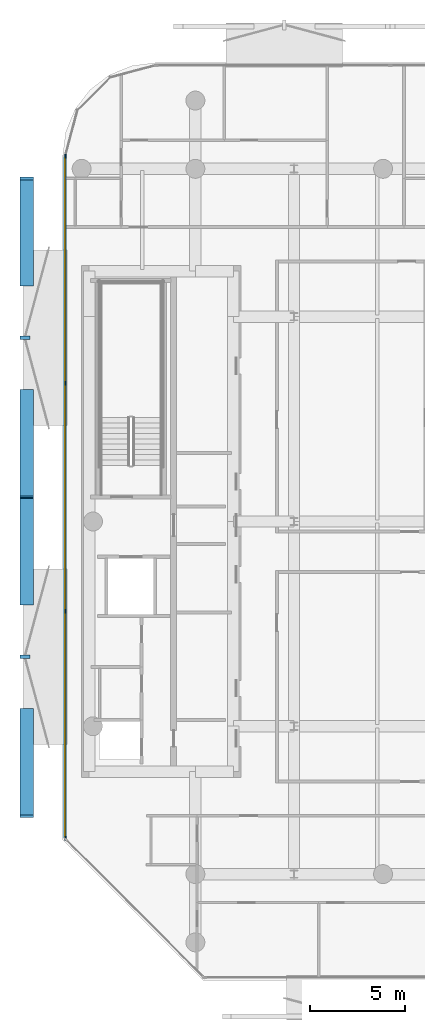
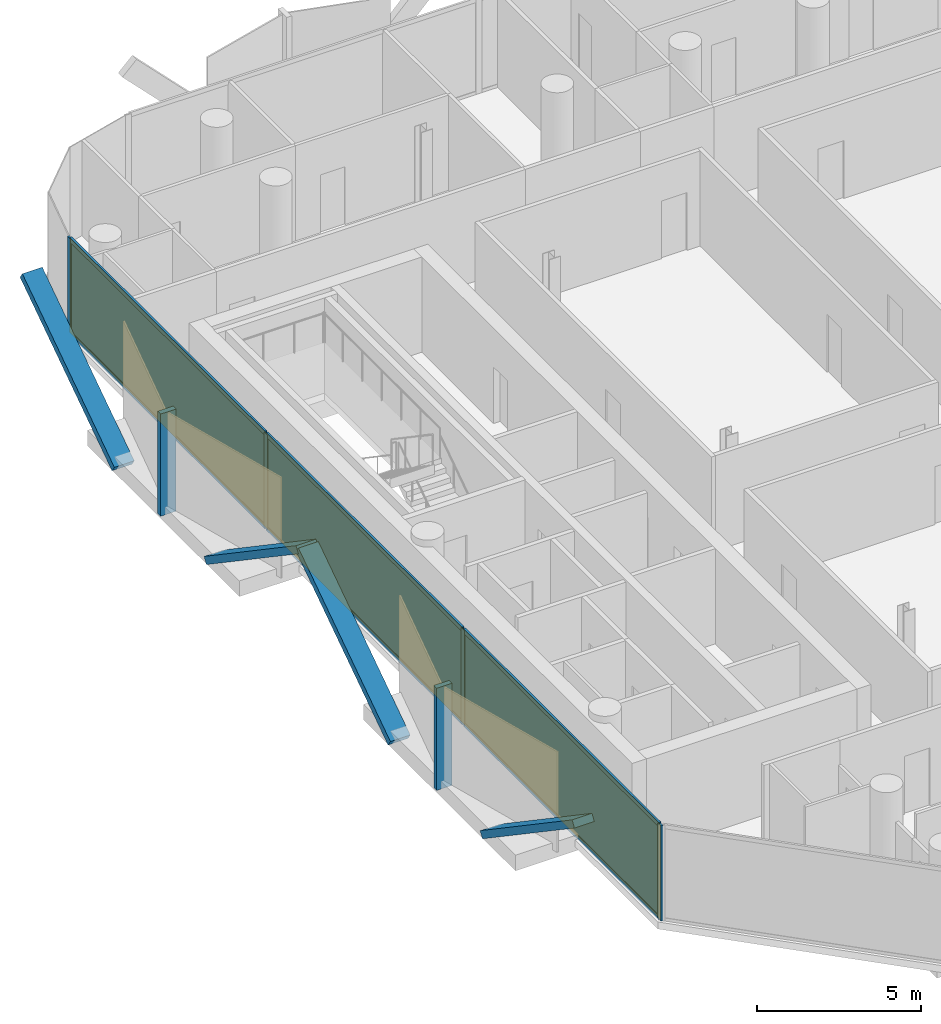
# One storey, part 10 of 16: 16 members, 3 plates, 1 curtain wall.
"""IFC4 building model written with IfcOpenShell, lengths in metres."""

from ifc_helpers import new_model, si_unit, direction, frame, frame_2d, origin, origin_2d, place, context, subcontext, project, spatial, rectangle, extrude, material, layer, layer_set, material_profile, profile_set, type_object, element, aggregate, save


model = new_model("IFC4")

# Units and contexts
model_context = context("Model", 3, precision=1e-05, world=origin(), true_north=direction((0.0, 1.0)))
body_context = subcontext(model_context, "Body", "Model", "MODEL_VIEW")
ifc_project = project(units=[si_unit("LENGTHUNIT", "METRE"), si_unit("AREAUNIT", "SQUARE_METRE"), si_unit("VOLUMEUNIT", "CUBIC_METRE"), si_unit("PLANEANGLEUNIT", "RADIAN"), si_unit("MASSUNIT", "GRAM", prefix="KILO")], contexts=[model_context])

# Member
ifc_material_1 = material(Name="Anodised Bronze Aluminium 6063-T6", Category="aluminium")
ifc_material_profile_1 = material_profile(ifc_material_1, rectangle(XDim=0.260009765625, YDim=0.699951171875, at=origin_2d()))
ifc_profile_set_1 = profile_set([ifc_material_profile_1], Name="Anodised Bronze Aluminium 6063-T6")
member_type_1 = type_object("IfcMemberType", Name="Bronze Diamond Solar-Screen Lattice Rib BDL-700", PredefinedType="MULLION", material=ifc_profile_set_1)
site_placement = place(None, origin())
building_placement = place(site_placement, origin())
storey_placement = place(building_placement, frame((0.0, 0.0, 296.60009765625)))
member_1_placement = place(storey_placement, frame((-23.300048828125, -4.3310546875, -0.130126953125), z_axis=(0.0, 0.827726945336, 0.561131093386), x_axis=(0.0, -0.561131093386, 0.827726945336)))
member_1 = element("IfcMember", 1, at=member_1_placement, type_object=member_type_1, Name="L71 Bronze Diamond Solar Screen Lattice Rib 496A", PredefinedType="MULLION", context=body_context, shape_type="SweptSolid", body=[
    extrude(rectangle(XDim=0.260009765625, YDim=0.699951171875, at=origin_2d()), origin(), (0.0, 0.0, 1.0), 6.772216796875),
])

member_2_placement = place(storey_placement, frame((-23.300048828125, -9.9365234375, -0.130126953125), z_axis=(0.0, -0.827726945336, 0.561131093386), x_axis=(0.0, 0.561131093386, 0.827726945336)))
member_2 = element("IfcMember", 2, at=member_2_placement, type_object=member_type_1, Name="L71 Bronze Diamond Solar Screen Lattice Rib 496B", PredefinedType="MULLION", context=body_context, shape_type="SweptSolid", body=[
    extrude(rectangle(XDim=0.260009765625, YDim=0.699951171875, at=origin_2d()), origin(), (0.0, 0.0, 1.0), 6.772216796875),
])

member_3_placement = place(storey_placement, frame((-23.300048828125, 12.4853515625, -0.130126953125), z_axis=(0.0, 0.827726945336, 0.561131093386), x_axis=(0.0, -0.561131093386, 0.827726945336)))
member_3 = element("IfcMember", 3, at=member_3_placement, type_object=member_type_1, Name="L71 Bronze Diamond Solar Screen Lattice Rib 497A", PredefinedType="MULLION", context=body_context, shape_type="SweptSolid", body=[
    extrude(rectangle(XDim=0.260009765625, YDim=0.699951171875, at=origin_2d()), origin(), (0.0, 0.0, 1.0), 6.772216796875),
])

member_4_placement = place(storey_placement, frame((-23.300048828125, 6.8798828125, -0.130126953125), z_axis=(0.0, -0.827726945336, 0.561131093386), x_axis=(0.0, 0.561131093386, 0.827726945336)))
member_4 = element("IfcMember", 4, at=member_4_placement, type_object=member_type_1, Name="L71 Bronze Diamond Solar Screen Lattice Rib 497B", PredefinedType="MULLION", context=body_context, shape_type="SweptSolid", body=[
    extrude(rectangle(XDim=0.260009765625, YDim=0.699951171875, at=origin_2d()), origin(), (0.0, 0.0, 1.0), 6.772216796875),
])

ifc_material_2 = material(Name="Anodised Bronze Aluminium 6063-T6", Category="aluminium")
ifc_material_profile_2 = material_profile(ifc_material_2, rectangle(XDim=0.179931640625, YDim=0.5400390625, at=origin_2d()))
ifc_profile_set_2 = profile_set([ifc_material_profile_2], Name="Anodised Bronze Aluminium 6063-T6")
member_type_2 = type_object("IfcMemberType", Name="Bronze Solar-Screen Vertical Fold Fin BSF-540", PredefinedType="MULLION", material=ifc_profile_set_2)
member_5_placement = place(storey_placement, frame((-23.3798828125, -7.1337890625, -0.130126953125), z_axis=(0.0, 0.0, 1.0), x_axis=(0.0, 1.0, 0.0)))
member_5 = element("IfcMember", 5, at=member_5_placement, type_object=member_type_2, Name="L71 Bronze Solar Screen Vertical Fin 496", PredefinedType="MULLION", context=body_context, shape_type="SweptSolid", body=[
    extrude(rectangle(XDim=0.179931640625, YDim=0.5400390625, at=origin_2d()), origin(), (0.0, 0.0, 1.0), 3.800048828125),
])

member_6_placement = place(storey_placement, frame((-23.3798828125, 9.6826171875, -0.130126953125), z_axis=(0.0, 0.0, 1.0), x_axis=(0.0, 1.0, 0.0)))
member_6 = element("IfcMember", 6, at=member_6_placement, type_object=member_type_2, Name="L71 Bronze Solar Screen Vertical Fin 497", PredefinedType="MULLION", context=body_context, shape_type="SweptSolid", body=[
    extrude(rectangle(XDim=0.179931640625, YDim=0.5400390625, at=origin_2d()), origin(), (0.0, 0.0, 1.0), 3.800048828125),
])

ifc_material_3 = material(Name="Anodised Bronze Aluminium 6063-T6", Category="aluminium")
ifc_material_profile_3 = material_profile(ifc_material_3, rectangle(XDim=0.074951171875, YDim=0.2099609375, at=origin_2d()))
ifc_profile_set_3 = profile_set([ifc_material_profile_3], Name="Anodised Bronze Aluminium 6063-T6")
member_type_3 = type_object("IfcMemberType", Name="CW-CRN Mullion 75x210", PredefinedType="MULLION", material=ifc_profile_set_3)
member_7_placement = place(storey_placement, frame((-21.260009765625, -16.70458984375, 0.0), z_axis=(0.0, 0.0, 1.0), x_axis=(-1.0, 0.0, 0.0)))
member_7 = element("IfcMember", 7, at=member_7_placement, type_object=member_type_3, Name="CW-CRN mullion 1", PredefinedType="MULLION", context=body_context, shape_type="SweptSolid", body=[
    extrude(rectangle(XDim=0.074951171875, YDim=0.2099609375, at=origin_2d()), origin(), (0.0, 0.0, 1.0), 3.539794921875),
])

member_8_placement = place(storey_placement, frame((-21.260009765625, -4.73095703125, 0.0), z_axis=(0.0, 0.0, 1.0), x_axis=(-1.0, 0.0, 0.0)))
member_8 = element("IfcMember", 8, at=member_8_placement, type_object=member_type_3, Name="CW-CRN mullion 2", PredefinedType="MULLION", context=body_context, shape_type="SweptSolid", body=[
    extrude(rectangle(XDim=0.074951171875, YDim=0.2099609375, at=origin_2d()), origin(), (0.0, 0.0, 1.0), 3.539794921875),
])

member_9_placement = place(storey_placement, frame((-21.260009765625, 7.27978515625, 0.0), z_axis=(0.0, 0.0, 1.0), x_axis=(-1.0, 0.0, 0.0)))
member_9 = element("IfcMember", 9, at=member_9_placement, type_object=member_type_3, Name="CW-CRN mullion 3", PredefinedType="MULLION", context=body_context, shape_type="SweptSolid", body=[
    extrude(rectangle(XDim=0.074951171875, YDim=0.2099609375, at=origin_2d()), origin(), (0.0, 0.0, 1.0), 3.539794921875),
])

member_10_placement = place(storey_placement, frame((-21.260009765625, 19.25341796875, 0.0), z_axis=(0.0, 0.0, 1.0), x_axis=(-1.0, 0.0, 0.0)))
member_10 = element("IfcMember", 10, at=member_10_placement, type_object=member_type_3, Name="CW-CRN mullion 4", PredefinedType="MULLION", context=body_context, shape_type="SweptSolid", body=[
    extrude(rectangle(XDim=0.074951171875, YDim=0.2099609375, at=origin_2d()), origin(), (0.0, 0.0, 1.0), 3.539794921875),
])

ifc_material_4 = material(Name="Anodised Bronze Aluminium 6063-T6", Category="aluminium")
ifc_material_profile_4 = material_profile(ifc_material_4, rectangle(XDim=0.074951171875, YDim=0.1650390625, at=origin_2d()))
ifc_profile_set_4 = profile_set([ifc_material_profile_4], Name="Anodised Bronze Aluminium 6063-T6")
member_type_4 = type_object("IfcMemberType", Name="CW-CRN Transom 75x165", PredefinedType="USERDEFINED", material=ifc_profile_set_4)
member_11_placement = place(storey_placement, frame((-21.260009765625, -16.6669921875, 0.037353515625), z_axis=(0.0, 1.0, 0.0), x_axis=(-1.0, 0.0, 0.0)))
member_11 = element("IfcMember", 11, at=member_11_placement, type_object=member_type_4, Name="CW-CRN transom 1.1", ObjectType="TRANSOM", PredefinedType="USERDEFINED", context=body_context, shape_type="SweptSolid", body=[
    extrude(rectangle(XDim=0.074951171875, YDim=0.1650390625, at=origin_2d()), origin(), (0.0, 0.0, 1.0), 11.8984375),
])

member_12_placement = place(storey_placement, frame((-21.260009765625, -16.6669921875, 3.50244140625), z_axis=(0.0, 1.0, 0.0), x_axis=(-1.0, 0.0, 0.0)))
member_12 = element("IfcMember", 12, at=member_12_placement, type_object=member_type_4, Name="CW-CRN transom 1.2", ObjectType="TRANSOM", PredefinedType="USERDEFINED", context=body_context, shape_type="SweptSolid", body=[
    extrude(rectangle(XDim=0.074951171875, YDim=0.1650390625, at=origin_2d()), origin(), (0.0, 0.0, 1.0), 11.8984375),
])

member_13_placement = place(storey_placement, frame((-21.260009765625, -4.693603515625, 0.037353515625), z_axis=(0.0, 1.0, 0.0), x_axis=(-1.0, 0.0, 0.0)))
member_13 = element("IfcMember", 13, at=member_13_placement, type_object=member_type_4, Name="CW-CRN transom 2.1", ObjectType="TRANSOM", PredefinedType="USERDEFINED", context=body_context, shape_type="SweptSolid", body=[
    extrude(rectangle(XDim=0.074951171875, YDim=0.1650390625, at=origin_2d()), origin(), (0.0, 0.0, 1.0), 11.93603515625),
])

member_14_placement = place(storey_placement, frame((-21.260009765625, -4.693603515625, 3.50244140625), z_axis=(0.0, 1.0, 0.0), x_axis=(-1.0, 0.0, 0.0)))
member_14 = element("IfcMember", 14, at=member_14_placement, type_object=member_type_4, Name="CW-CRN transom 2.2", ObjectType="TRANSOM", PredefinedType="USERDEFINED", context=body_context, shape_type="SweptSolid", body=[
    extrude(rectangle(XDim=0.074951171875, YDim=0.1650390625, at=origin_2d()), origin(), (0.0, 0.0, 1.0), 11.93603515625),
])

member_15_placement = place(storey_placement, frame((-21.260009765625, 7.3173828125, 0.037353515625), z_axis=(0.0, 1.0, 0.0), x_axis=(-1.0, 0.0, 0.0)))
member_15 = element("IfcMember", 15, at=member_15_placement, type_object=member_type_4, Name="CW-CRN transom 3.1", ObjectType="TRANSOM", PredefinedType="USERDEFINED", context=body_context, shape_type="SweptSolid", body=[
    extrude(rectangle(XDim=0.074951171875, YDim=0.1650390625, at=origin_2d()), origin(), (0.0, 0.0, 1.0), 11.8984375),
])

member_16_placement = place(storey_placement, frame((-21.260009765625, 7.3173828125, 3.50244140625), z_axis=(0.0, 1.0, 0.0), x_axis=(-1.0, 0.0, 0.0)))
member_16 = element("IfcMember", 16, at=member_16_placement, type_object=member_type_4, Name="CW-CRN transom 3.2", ObjectType="TRANSOM", PredefinedType="USERDEFINED", context=body_context, shape_type="SweptSolid", body=[
    extrude(rectangle(XDim=0.074951171875, YDim=0.1650390625, at=origin_2d()), origin(), (0.0, 0.0, 1.0), 11.8984375),
])

# Plate
ifc_material_5 = material(Name="Low-E Solar Control Laminated Glass", Category="glass")
ifc_layer_1 = layer(ifc_material_5, 0.035888671875, Name="Low-E Solar Control Laminated Glass")
ifc_layer_set_1 = layer_set([ifc_layer_1], Name="Low-E Solar Control Laminated Glass")
plate_type = type_object("IfcPlateType", Name="CW-CRN Low-E Double Glazed Panel 36mm", PredefinedType="CURTAIN_PANEL", material=ifc_layer_set_1)
plate_1_placement = place(storey_placement, frame((-21.260009765625, -10.7177734375, 0.0751953125), z_axis=(0.0, 0.0, 1.0), x_axis=(0.0, 1.0, 0.0)))
plate_1 = element("IfcPlate", 17, at=plate_1_placement, type_object=plate_type, Name="CW-CRN panel 1.1", PredefinedType="CURTAIN_PANEL", context=body_context, shape_type="SweptSolid", body=[
    extrude(rectangle(XDim=11.8984375, YDim=0.035888671875, at=origin_2d()), origin(), (0.0, 0.0, 1.0), 3.389892578125),
])

plate_2_placement = place(storey_placement, frame((-21.260009765625, 1.2744140625, 0.0751953125), z_axis=(0.0, 0.0, 1.0), x_axis=(0.0, 1.0, 0.0)))
plate_2 = element("IfcPlate", 18, at=plate_2_placement, type_object=plate_type, Name="CW-CRN panel 2.1", PredefinedType="CURTAIN_PANEL", context=body_context, shape_type="SweptSolid", body=[
    extrude(rectangle(XDim=11.93603515625, YDim=0.035888671875, at=origin_2d()), origin(), (0.0, 0.0, 1.0), 3.389892578125),
])

plate_3_placement = place(storey_placement, frame((-21.260009765625, 13.2666015625, 0.0751953125), z_axis=(0.0, 0.0, 1.0), x_axis=(0.0, 1.0, 0.0)))
plate_3 = element("IfcPlate", 19, at=plate_3_placement, type_object=plate_type, Name="CW-CRN panel 3.1", PredefinedType="CURTAIN_PANEL", context=body_context, shape_type="SweptSolid", body=[
    extrude(rectangle(XDim=11.8984375, YDim=0.035888671875, at=origin_2d()), origin(), (0.0, 0.0, 1.0), 3.389892578125),
])

# Site, building, storey
site = spatial("IfcSite", under=ifc_project, at=site_placement, CompositionType="ELEMENT")
building = spatial("IfcBuilding", under=site, at=building_placement, Name="Khairoan Windgate Tower", CompositionType="ELEMENT")
storey = spatial("IfcBuildingStorey", under=building, at=storey_placement, Name="L71", CompositionType="ELEMENT", Elevation=296.60009765625)

# Curtain wall
ifc_material_6 = material(Name="Anodised Bronze Aluminium 6063-T6", Category="aluminium")
ifc_layer_2 = layer(ifc_material_6, 0.2099609375, Name="Anodised Bronze Aluminium 6063-T6")
ifc_layer_set_2 = layer_set([ifc_layer_2], Name="Anodised Bronze Aluminium 6063-T6")
curtain_wall_type = type_object("IfcCurtainWallType", Name="Crown Observation and Vitrine Curtain Wall CW-CRN", PredefinedType="NOTDEFINED", material=ifc_layer_set_2)
curtain_wall_placement = place(storey_placement, frame((-21.260009765625, -16.741943359375, 0.0), z_axis=(0.0, 0.0, 1.0), x_axis=(0.0, 1.0, 0.0)))
curtain_wall = element("IfcCurtainWall", 20, at=curtain_wall_placement, inside=storey, type_object=curtain_wall_type, Name="L71 Unitised Curtain Wall 3", PredefinedType="NOTDEFINED", context=body_context, shape_type="SweptSolid", body=[
    extrude(rectangle(XDim=36.03271484375, YDim=0.010009765625, at=frame_2d((18.016357421875, 0.0))), origin(), (0.0, 0.0, 1.0), 3.539794921875),
])

aggregate(curtain_wall, [member_7, member_8, member_9, member_10, member_11, member_12, plate_1, member_13, member_14, plate_2, member_15, member_16, plate_3, member_1, member_2, member_5, member_3, member_4, member_6])

save(model, "model.ifc")
